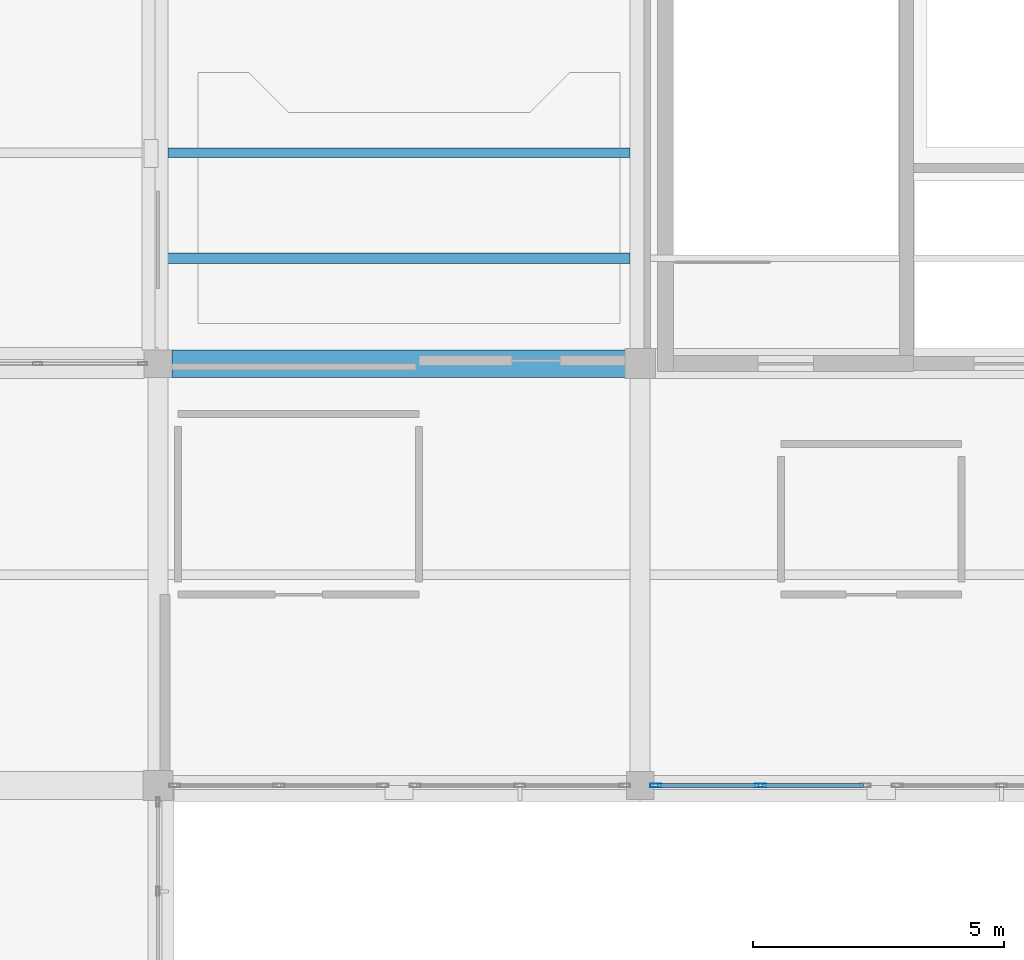
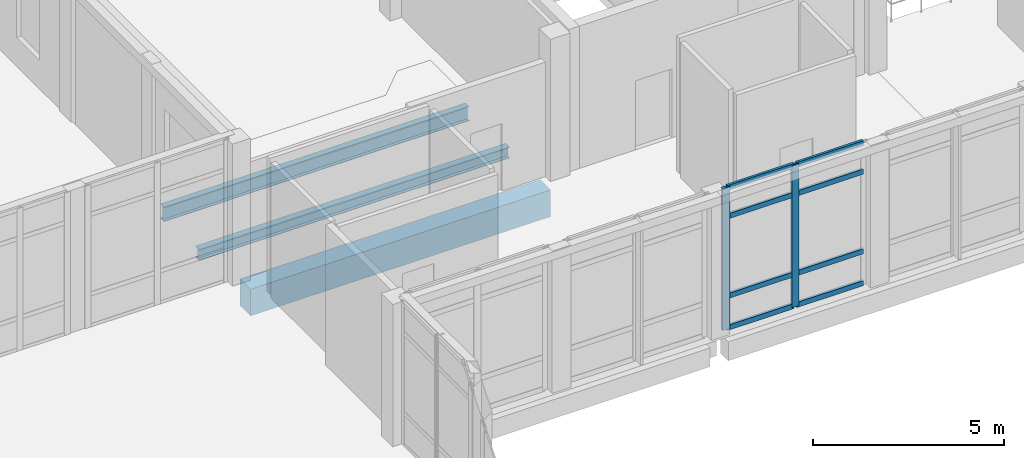
# One storey, part 20 of 88: 10 members, 3 beams, 1 element without a shape of its own.
"""IFC4 building model written with IfcOpenShell, lengths in metres."""

from ifc_helpers import new_model, si_unit, direction, frame, origin, origin_2d, place, context, subcontext, project, spatial, rectangle, hollow_rectangle, i_section, extrude, material, layer, layer_set, material_profile, profile_set, type_object, element, aggregate, save


model = new_model("IFC4")

# Units and contexts
model_context = context("Model", 3, precision=1e-05, world=origin(), true_north=direction((0.0, 1.0)))
body_context = subcontext(model_context, "Body", "Model", "MODEL_VIEW")
ifc_project = project(units=[si_unit("LENGTHUNIT", "METRE"), si_unit("AREAUNIT", "SQUARE_METRE"), si_unit("VOLUMEUNIT", "CUBIC_METRE"), si_unit("PLANEANGLEUNIT", "RADIAN"), si_unit("MASSUNIT", "GRAM", prefix="KILO")], contexts=[model_context])

# Site, building, storey
site_placement = place(None, origin())
site = spatial("IfcSite", under=ifc_project, at=site_placement, CompositionType="ELEMENT")
building_placement = place(site_placement, origin())
building = spatial("IfcBuilding", under=site, at=building_placement, Name="Lornevale Opera House", CompositionType="ELEMENT")
storey_placement = place(building_placement, frame((0.0, 0.0, 10.199951171875)))
storey = spatial("IfcBuildingStorey", under=building, at=storey_placement, Name="L03", CompositionType="ELEMENT", Elevation=10.199951171875)

# Beam
ifc_material_1 = material(Name="Concrete 35 MPa (CSA A23.1 N)", Category="concrete")
ifc_material_profile_1 = material_profile(ifc_material_1, rectangle(XDim=0.550048828125, YDim=0.85009765625, at=origin_2d()), Name="RC550x850")
ifc_profile_set_1 = profile_set([ifc_material_profile_1], Name="Concrete 35 MPa (CSA A23.1 N)")
beam_type_1 = type_object("IfcBeamType", Name="Concrete Primary Girder 550x850", PredefinedType="USERDEFINED", material=ifc_profile_set_1)
beam_1_placement = place(storey_placement, frame((38.675048828125, 25.199951171875, -0.71484375), z_axis=(1.0, 0.0, 0.0), x_axis=(0.0, 1.0, 0.0)))
element("IfcBeam", 1, at=beam_1_placement, inside=storey, type_object=beam_type_1, Name="Concrete Primary Girder 550x850 2108", ObjectType="GIRDER", PredefinedType="USERDEFINED", context=body_context, shape_type="SweptSolid", body=[
    extrude(rectangle(XDim=0.550048828125, YDim=0.85009765625, at=origin_2d()), origin(), (0.0, 0.0, 1.0), 9.050048828125),
])

# Curtain wall, members
ifc_material_2 = material(Name="Anodized Oxide-Green Aluminium Framing", Category="aluminium")
ifc_layer = layer(ifc_material_2, 0.219970703125)
ifc_layer_set = layer_set([ifc_layer], Name="Anodized Oxide-Green Aluminium Framing")
curtain_wall_type = type_object("IfcCurtainWallType", Name="Winter-Garden Curtain Wall M1900", PredefinedType="NOTDEFINED", material=ifc_layer_set)
curtain_wall_placement = place(storey_placement, origin())
curtain_wall = element("IfcCurtainWall", 2, at=curtain_wall_placement, inside=storey, type_object=curtain_wall_type, Name="Winter-Garden Curtain Wall M1900 CW-133", PredefinedType="NOTDEFINED")
ifc_material_profile_2 = material_profile(ifc_material_2, hollow_rectangle(XDim=0.074951171875, YDim=0.219970703125, WallThickness=0.0048828125, at=origin_2d()), Name="ALU75x220x5")
ifc_profile_set_2 = profile_set([ifc_material_profile_2], Name="Anodized Oxide-Green Aluminium Framing")
member_type_1 = type_object("IfcMemberType", Name="Curtain Wall Mullion 75x220", PredefinedType="MULLION", material=ifc_profile_set_2)
member_1_placement = place(storey_placement, frame((50.3955078125, 16.800048828125, 0.0), z_axis=(0.0, 0.0, 1.0), x_axis=(0.0, -1.0, 0.0)))
member_1 = element("IfcMember", 3, at=member_1_placement, type_object=member_type_1, Name="Curtain Wall Mullion 75x220 CW2742", PredefinedType="MULLION", context=body_context, shape_type="SweptSolid", body=[
    extrude(hollow_rectangle(XDim=0.074951171875, YDim=0.219970703125, WallThickness=0.0048828125, at=origin_2d()), origin(), (0.0, 0.0, 1.0), 4.5400390625),
])
member_2_placement = place(storey_placement, frame((48.30859375, 16.800048828125, 0.0), z_axis=(0.0, 0.0, 1.0), x_axis=(0.0, -1.0, 0.0)))
member_2 = element("IfcMember", 4, at=member_2_placement, type_object=member_type_1, Name="Curtain Wall Mullion 75x220 CW2743", PredefinedType="MULLION", context=body_context, shape_type="SweptSolid", body=[
    extrude(hollow_rectangle(XDim=0.074951171875, YDim=0.219970703125, WallThickness=0.0048828125, at=origin_2d()), origin(), (0.0, 0.0, 1.0), 4.5400390625),
])
ifc_material_profile_3 = material_profile(ifc_material_2, hollow_rectangle(XDim=0.074951171875, YDim=0.159912109375, WallThickness=0.0048828125, at=origin_2d()), Name="ALU75x160x5")
ifc_profile_set_3 = profile_set([ifc_material_profile_3], Name="Anodized Oxide-Green Aluminium Framing")
member_type_2 = type_object("IfcMemberType", Name="Curtain Wall Transom 75x160", PredefinedType="USERDEFINED", material=ifc_profile_set_3)
member_3_placement = place(storey_placement, frame((52.445068359375, 16.800048828125, 0.03759765625), z_axis=(-1.0, 0.0, 0.0), x_axis=(0.0, -1.0, 0.0)))
member_3 = element("IfcMember", 5, at=member_3_placement, type_object=member_type_2, Name="Curtain Wall Transom 75x160 CW2744", ObjectType="TRANSOM", PredefinedType="USERDEFINED", context=body_context, shape_type="SweptSolid", body=[
    extrude(hollow_rectangle(XDim=0.074951171875, YDim=0.159912109375, WallThickness=0.0048828125, at=origin_2d()), origin(), (0.0, 0.0, 1.0), 2.011962890625),
])
member_4_placement = place(storey_placement, frame((52.445068359375, 16.800048828125, 1.050048828125), z_axis=(-1.0, 0.0, 0.0), x_axis=(0.0, -1.0, 0.0)))
member_4 = element("IfcMember", 6, at=member_4_placement, type_object=member_type_2, Name="Curtain Wall Transom 75x160 CW2745", ObjectType="TRANSOM", PredefinedType="USERDEFINED", context=body_context, shape_type="SweptSolid", body=[
    extrude(hollow_rectangle(XDim=0.074951171875, YDim=0.159912109375, WallThickness=0.0048828125, at=origin_2d()), origin(), (0.0, 0.0, 1.0), 2.011962890625),
])
member_5_placement = place(storey_placement, frame((52.445068359375, 16.800048828125, 3.590087890625), z_axis=(-1.0, 0.0, 0.0), x_axis=(0.0, -1.0, 0.0)))
member_5 = element("IfcMember", 7, at=member_5_placement, type_object=member_type_2, Name="Curtain Wall Transom 75x160 CW2746", ObjectType="TRANSOM", PredefinedType="USERDEFINED", context=body_context, shape_type="SweptSolid", body=[
    extrude(hollow_rectangle(XDim=0.074951171875, YDim=0.159912109375, WallThickness=0.0048828125, at=origin_2d()), origin(), (0.0, 0.0, 1.0), 2.011962890625),
])
member_6_placement = place(storey_placement, frame((52.445068359375, 16.800048828125, 4.50244140625), z_axis=(-1.0, 0.0, 0.0), x_axis=(0.0, -1.0, 0.0)))
member_6 = element("IfcMember", 8, at=member_6_placement, type_object=member_type_2, Name="Curtain Wall Transom 75x160 CW2747", ObjectType="TRANSOM", PredefinedType="USERDEFINED", context=body_context, shape_type="SweptSolid", body=[
    extrude(hollow_rectangle(XDim=0.074951171875, YDim=0.159912109375, WallThickness=0.0048828125, at=origin_2d()), origin(), (0.0, 0.0, 1.0), 2.011962890625),
])
member_7_placement = place(storey_placement, frame((50.35791015625, 16.800048828125, 0.03759765625), z_axis=(-1.0, 0.0, 0.0), x_axis=(0.0, -1.0, 0.0)))
member_7 = element("IfcMember", 9, at=member_7_placement, type_object=member_type_2, Name="Curtain Wall Transom 75x160 CW2751", ObjectType="TRANSOM", PredefinedType="USERDEFINED", context=body_context, shape_type="SweptSolid", body=[
    extrude(hollow_rectangle(XDim=0.074951171875, YDim=0.159912109375, WallThickness=0.0048828125, at=origin_2d()), origin(), (0.0, 0.0, 1.0), 2.011962890625),
])
member_8_placement = place(storey_placement, frame((50.35791015625, 16.800048828125, 1.050048828125), z_axis=(-1.0, 0.0, 0.0), x_axis=(0.0, -1.0, 0.0)))
member_8 = element("IfcMember", 10, at=member_8_placement, type_object=member_type_2, Name="Curtain Wall Transom 75x160 CW2752", ObjectType="TRANSOM", PredefinedType="USERDEFINED", context=body_context, shape_type="SweptSolid", body=[
    extrude(hollow_rectangle(XDim=0.074951171875, YDim=0.159912109375, WallThickness=0.0048828125, at=origin_2d()), origin(), (0.0, 0.0, 1.0), 2.011962890625),
])
member_9_placement = place(storey_placement, frame((50.35791015625, 16.800048828125, 3.590087890625), z_axis=(-1.0, 0.0, 0.0), x_axis=(0.0, -1.0, 0.0)))
member_9 = element("IfcMember", 11, at=member_9_placement, type_object=member_type_2, Name="Curtain Wall Transom 75x160 CW2753", ObjectType="TRANSOM", PredefinedType="USERDEFINED", context=body_context, shape_type="SweptSolid", body=[
    extrude(hollow_rectangle(XDim=0.074951171875, YDim=0.159912109375, WallThickness=0.0048828125, at=origin_2d()), origin(), (0.0, 0.0, 1.0), 2.011962890625),
])
member_10_placement = place(storey_placement, frame((50.35791015625, 16.800048828125, 4.50244140625), z_axis=(-1.0, 0.0, 0.0), x_axis=(0.0, -1.0, 0.0)))
member_10 = element("IfcMember", 12, at=member_10_placement, type_object=member_type_2, Name="Curtain Wall Transom 75x160 CW2754", ObjectType="TRANSOM", PredefinedType="USERDEFINED", context=body_context, shape_type="SweptSolid", body=[
    extrude(hollow_rectangle(XDim=0.074951171875, YDim=0.159912109375, WallThickness=0.0048828125, at=origin_2d()), origin(), (0.0, 0.0, 1.0), 2.011962890625),
])
aggregate(curtain_wall, [member_1, member_2, member_3, member_4, member_5, member_6, member_7, member_8, member_9, member_10])

# Beams
ifc_material_3 = material(Name="Structural Steel CSA G40.21 Grade 350W (350 MPa)", Category="steel")
ifc_material_profile_4 = material_profile(ifc_material_3, i_section(OverallWidth=0.2041015625, OverallDepth=0.35009765625, WebThickness=0.008544921875, FlangeThickness=0.01513671875, at=origin_2d()), Name="W360x72")
ifc_profile_set_4 = profile_set([ifc_material_profile_4], Name="Structural Steel CSA G40.21 Grade 350W (350 MPa)")
beam_type_2 = type_object("IfcBeamType", Name="Dress Circle Joist W360x72", PredefinedType="JOIST", material=ifc_profile_set_4)
beam_2_placement = place(storey_placement, frame((38.449951171875, 27.300048828125, -0.5), z_axis=(1.0, 0.0, 0.0), x_axis=(0.0, 1.0, 0.0)))
element("IfcBeam", 13, at=beam_2_placement, inside=storey, type_object=beam_type_2, Name="Dress Circle Joist W360x72 3047", PredefinedType="JOIST", context=body_context, shape_type="SweptSolid", body=[
    extrude(i_section(OverallWidth=0.2041015625, OverallDepth=0.35009765625, WebThickness=0.008544921875, FlangeThickness=0.01513671875, at=origin_2d()), origin(), (0.0, 0.0, 1.0), 9.35009765625),
])
ifc_material_profile_5 = material_profile(ifc_material_3, i_section(OverallWidth=0.19189453125, OverallDepth=0.462890625, WebThickness=0.010498046875, FlangeThickness=0.017578125, at=origin_2d()), Name="W460x89")
ifc_profile_set_5 = profile_set([ifc_material_profile_5], Name="Structural Steel CSA G40.21 Grade 350W (350 MPa)")
beam_type_3 = type_object("IfcBeamType", Name="Steel Floor Joist W460x89", PredefinedType="JOIST", material=ifc_profile_set_5)
beam_3_placement = place(storey_placement, frame((38.60009765625, 29.39990234375, -0.536376953125), z_axis=(1.0, 0.0, 0.0), x_axis=(0.0, 1.0, 0.0)))
element("IfcBeam", 14, at=beam_3_placement, inside=storey, type_object=beam_type_3, Name="Steel Floor Joist W460x89 2390", PredefinedType="JOIST", context=body_context, shape_type="SweptSolid", body=[
    extrude(i_section(OverallWidth=0.19189453125, OverallDepth=0.462890625, WebThickness=0.010498046875, FlangeThickness=0.017578125, at=origin_2d()), origin(), (0.0, 0.0, 1.0), 9.199951171875),
])

save(model, "model.ifc")
